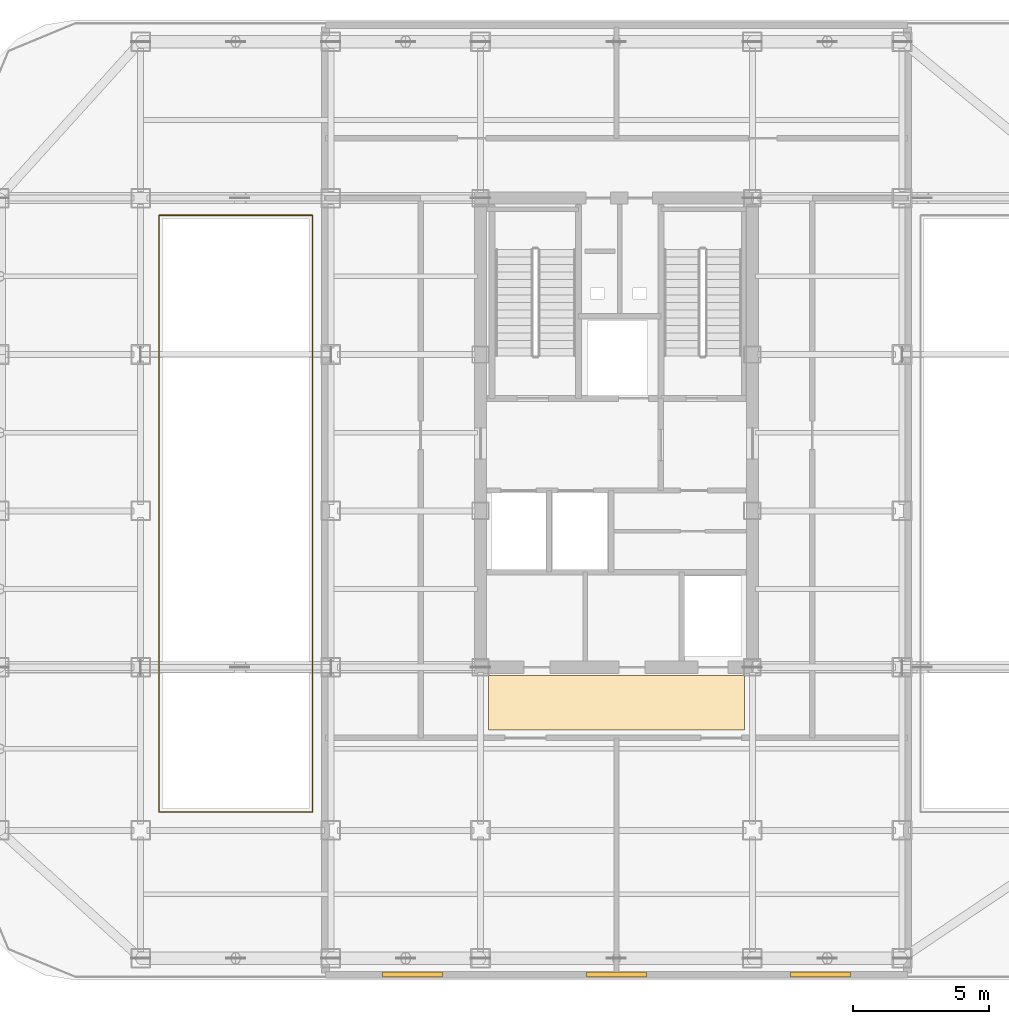
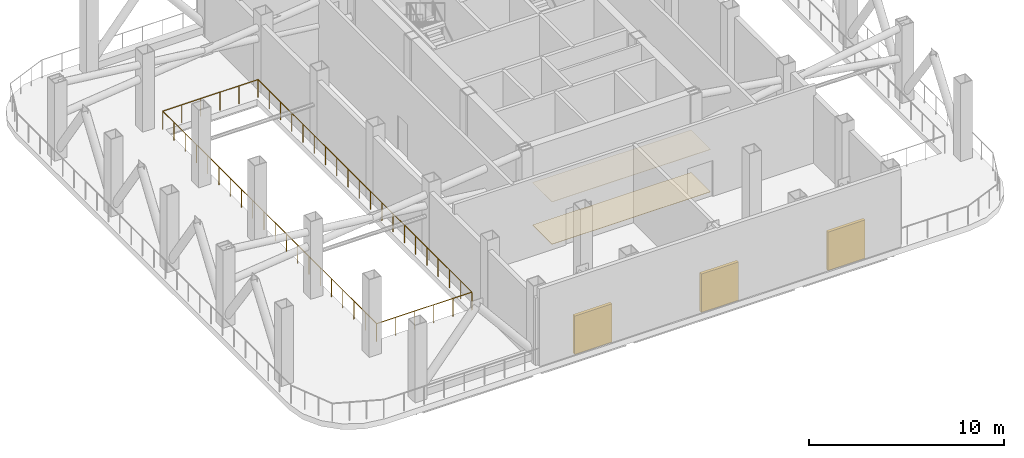
# One storey, part 8 of 10: 3 shading devices, 2 coverings, 1 railing.
"""IFC4 building model written with IfcOpenShell, lengths in metres."""

from ifc_helpers import new_model, si_unit, direction, frame, origin, origin_2d, place, context, subcontext, project, spatial, polyline, rectangle, circle, outline, extrude, source, transform, mapped, material, layer, layer_set, type_object, element, save


model = new_model("IFC4")

# Units and contexts
model_context = context("Model", 3, precision=1e-05, world=origin(), true_north=direction((0.0, 1.0)))
body_context = subcontext(model_context, "Body", "Model", "MODEL_VIEW")
ifc_project = project(units=[si_unit("LENGTHUNIT", "METRE"), si_unit("AREAUNIT", "SQUARE_METRE"), si_unit("VOLUMEUNIT", "CUBIC_METRE"), si_unit("PLANEANGLEUNIT", "RADIAN"), si_unit("MASSUNIT", "GRAM", prefix="KILO")], contexts=[model_context])

# Site, building, storey
site_placement = place(None, origin())
site = spatial("IfcSite", under=ifc_project, at=site_placement, CompositionType="ELEMENT")
building_placement = place(site_placement, origin())
building = spatial("IfcBuilding", under=site, at=building_placement, Name="Kolveth Station Tower", CompositionType="ELEMENT")
storey_placement = place(building_placement, frame((0.0, 0.0, 188.10009765625)))
storey = spatial("IfcBuildingStorey", under=building, at=storey_placement, Name="L53", CompositionType="ELEMENT", Elevation=188.10009765625)

# Coverings
ifc_material_1 = material(Name="Acoustic mineral-fibre ceiling tile")
ifc_layer_1 = layer(ifc_material_1, 0.02490234375)
ifc_layer_set_1 = layer_set([ifc_layer_1], Name="Acoustic mineral-fibre ceiling tile")
covering_type_1 = type_object("IfcCoveringType", Name="Ceil_CL1", PredefinedType="CEILING", material=ifc_layer_set_1)
covering_1_placement = place(storey_placement, frame((0.0, 0.0, 2.64990234375)))
element("IfcCovering", 1, at=covering_1_placement, inside=storey, type_object=covering_type_1, Name="L53 Lift Lobby Suspended Ceiling", PredefinedType="CEILING", context=body_context, shape_type="SweptSolid", body=[
    extrude(outline(polyline([(18.800048828125, 9.199951171875), (28.199951171875, 9.199951171875), (28.199951171875, 11.199951171875), (18.800048828125, 11.199951171875), (18.800048828125, 9.199951171875)])), origin(), (0.0, 0.0, 1.0), 0.02490234375),
])
ifc_material_2 = material(Name="Honed terrazzo flooring")
ifc_layer_2 = layer(ifc_material_2, 0.02001953125)
ifc_layer_set_2 = layer_set([ifc_layer_2], Name="Honed terrazzo flooring")
covering_type_2 = type_object("IfcCoveringType", Name="Floor_FL1", PredefinedType="FLOORING", material=ifc_layer_set_2)
covering_2_placement = place(storey_placement, origin())
element("IfcCovering", 2, at=covering_2_placement, inside=storey, type_object=covering_type_2, Name="L53 Lift Lobby Floor Finish", PredefinedType="FLOORING", context=body_context, shape_type="SweptSolid", body=[
    extrude(outline(polyline([(18.800048828125, 9.199951171875), (28.199951171875, 9.199951171875), (28.199951171875, 11.199951171875), (18.800048828125, 11.199951171875), (18.800048828125, 9.199951171875)])), origin(), (0.0, 0.0, 1.0), 0.02001953125),
])

# Railing
ifc_material_3 = material(Name="Painted Steel S355 balustrade", Category="steel")
railing_type = type_object("IfcRailingType", Name="Guard_GR2", PredefinedType="BALUSTRADE", material=ifc_material_3)
railing_placement = place(storey_placement, frame((6.679931640625, 6.179931640625, 0.0)))
element("IfcRailing", 3, at=railing_placement, inside=storey, type_object=railing_type, Name="L53 Wind-Slot Venturi Opening Guard 1", PredefinedType="BALUSTRADE", context=body_context, shape_type="SweptSolid", body=[
    extrude(circle(Radius=0.02392578125, at=origin_2d()), frame((0.0, 0.0, 1.1259765625), z_axis=(1.0, 0.0, 0.0), x_axis=(0.0, 1.0, 0.0)), (0.0, 0.0, 1.0), 5.64013671875),
    extrude(circle(Radius=0.02392578125, at=origin_2d()), frame((5.64013671875, 0.0, 1.1259765625), z_axis=(0.0, 1.0, 0.0), x_axis=(-1.0, 0.0, 0.0)), (0.0, 0.0, 1.0), 21.940185546875),
    extrude(circle(Radius=0.02392578125, at=origin_2d()), frame((5.64013671875, 21.940185546875, 1.1259765625), z_axis=(-1.0, 0.0, 0.0), x_axis=(0.0, -1.0, 0.0)), (0.0, 0.0, 1.0), 5.64013671875),
    extrude(circle(Radius=0.02392578125, at=origin_2d()), frame((0.0, 21.940185546875, 1.1259765625), z_axis=(0.0, -1.0, 0.0), x_axis=(1.0, 0.0, 0.0)), (0.0, 0.0, 1.0), 21.915283203125),
    extrude(circle(Radius=0.02099609375, at=origin_2d()), origin(), (0.0, 0.0, 1.0), 1.101806640625),
    extrude(circle(Radius=0.02099609375, at=origin_2d()), frame((1.1279296875, 0.0, 0.0)), (0.0, 0.0, 1.0), 1.101806640625),
    extrude(circle(Radius=0.02099609375, at=origin_2d()), frame((2.256103515625, 0.0, 0.0)), (0.0, 0.0, 1.0), 1.101806640625),
    extrude(circle(Radius=0.02099609375, at=origin_2d()), frame((3.384033203125, 0.0, 0.0)), (0.0, 0.0, 1.0), 1.101806640625),
    extrude(circle(Radius=0.02099609375, at=origin_2d()), frame((4.51220703125, 0.0, 0.0)), (0.0, 0.0, 1.0), 1.101806640625),
    extrude(circle(Radius=0.02099609375, at=origin_2d()), frame((5.64013671875, 0.0, 0.0)), (0.0, 0.0, 1.0), 1.101806640625),
    extrude(circle(Radius=0.02099609375, at=origin_2d()), frame((5.64013671875, 1.15478515625, 0.0)), (0.0, 0.0, 1.0), 1.101806640625),
    extrude(circle(Radius=0.02099609375, at=origin_2d()), frame((5.64013671875, 2.3095703125, 0.0)), (0.0, 0.0, 1.0), 1.101806640625),
    extrude(circle(Radius=0.02099609375, at=origin_2d()), frame((5.64013671875, 3.46435546875, 0.0)), (0.0, 0.0, 1.0), 1.101806640625),
    extrude(circle(Radius=0.02099609375, at=origin_2d()), frame((5.64013671875, 4.618896484375, 0.0)), (0.0, 0.0, 1.0), 1.101806640625),
    extrude(circle(Radius=0.02099609375, at=origin_2d()), frame((5.64013671875, 5.773681640625, 0.0)), (0.0, 0.0, 1.0), 1.101806640625),
    extrude(circle(Radius=0.02099609375, at=origin_2d()), frame((5.64013671875, 6.928466796875, 0.0)), (0.0, 0.0, 1.0), 1.101806640625),
    extrude(circle(Radius=0.02099609375, at=origin_2d()), frame((5.64013671875, 8.083251953125, 0.0)), (0.0, 0.0, 1.0), 1.101806640625),
    extrude(circle(Radius=0.02099609375, at=origin_2d()), frame((5.64013671875, 9.238037109375, 0.0)), (0.0, 0.0, 1.0), 1.101806640625),
    extrude(circle(Radius=0.02099609375, at=origin_2d()), frame((5.64013671875, 10.392822265625, 0.0)), (0.0, 0.0, 1.0), 1.101806640625),
    extrude(circle(Radius=0.02099609375, at=origin_2d()), frame((5.64013671875, 11.54736328125, 0.0)), (0.0, 0.0, 1.0), 1.101806640625),
    extrude(circle(Radius=0.02099609375, at=origin_2d()), frame((5.64013671875, 12.7021484375, 0.0)), (0.0, 0.0, 1.0), 1.101806640625),
    extrude(circle(Radius=0.02099609375, at=origin_2d()), frame((5.64013671875, 13.85693359375, 0.0)), (0.0, 0.0, 1.0), 1.101806640625),
    extrude(circle(Radius=0.02099609375, at=origin_2d()), frame((5.64013671875, 15.01171875, 0.0)), (0.0, 0.0, 1.0), 1.101806640625),
    extrude(circle(Radius=0.02099609375, at=origin_2d()), frame((5.64013671875, 16.16650390625, 0.0)), (0.0, 0.0, 1.0), 1.101806640625),
    extrude(circle(Radius=0.02099609375, at=origin_2d()), frame((5.64013671875, 17.3212890625, 0.0)), (0.0, 0.0, 1.0), 1.101806640625),
    extrude(circle(Radius=0.02099609375, at=origin_2d()), frame((5.64013671875, 18.475830078125, 0.0)), (0.0, 0.0, 1.0), 1.101806640625),
    extrude(circle(Radius=0.02099609375, at=origin_2d()), frame((5.64013671875, 19.630615234375, 0.0)), (0.0, 0.0, 1.0), 1.101806640625),
    extrude(circle(Radius=0.02099609375, at=origin_2d()), frame((5.64013671875, 20.785400390625, 0.0)), (0.0, 0.0, 1.0), 1.101806640625),
    extrude(circle(Radius=0.02099609375, at=origin_2d()), frame((5.64013671875, 21.940185546875, 0.0)), (0.0, 0.0, 1.0), 1.101806640625),
    extrude(circle(Radius=0.02099609375, at=origin_2d()), frame((4.51220703125, 21.940185546875, 0.0)), (0.0, 0.0, 1.0), 1.101806640625),
    extrude(circle(Radius=0.02099609375, at=origin_2d()), frame((3.384033203125, 21.940185546875, 0.0)), (0.0, 0.0, 1.0), 1.101806640625),
    extrude(circle(Radius=0.02099609375, at=origin_2d()), frame((2.256103515625, 21.940185546875, 0.0)), (0.0, 0.0, 1.0), 1.101806640625),
    extrude(circle(Radius=0.02099609375, at=origin_2d()), frame((1.1279296875, 21.940185546875, 0.0)), (0.0, 0.0, 1.0), 1.101806640625),
    extrude(circle(Radius=0.02099609375, at=origin_2d()), frame((0.0, 21.940185546875, 0.0)), (0.0, 0.0, 1.0), 1.101806640625),
    extrude(circle(Radius=0.02099609375, at=origin_2d()), frame((0.0, 20.786865234375, 0.0)), (0.0, 0.0, 1.0), 1.101806640625),
    extrude(circle(Radius=0.02099609375, at=origin_2d()), frame((0.0, 19.63330078125, 0.0)), (0.0, 0.0, 1.0), 1.101806640625),
    extrude(circle(Radius=0.02099609375, at=origin_2d()), frame((0.0, 18.47998046875, 0.0)), (0.0, 0.0, 1.0), 1.101806640625),
    extrude(circle(Radius=0.02099609375, at=origin_2d()), frame((0.0, 17.326416015625, 0.0)), (0.0, 0.0, 1.0), 1.101806640625),
    extrude(circle(Radius=0.02099609375, at=origin_2d()), frame((0.0, 16.173095703125, 0.0)), (0.0, 0.0, 1.0), 1.101806640625),
    extrude(circle(Radius=0.02099609375, at=origin_2d()), frame((0.0, 15.01953125, 0.0)), (0.0, 0.0, 1.0), 1.101806640625),
    extrude(circle(Radius=0.02099609375, at=origin_2d()), frame((0.0, 13.8662109375, 0.0)), (0.0, 0.0, 1.0), 1.101806640625),
    extrude(circle(Radius=0.02099609375, at=origin_2d()), frame((0.0, 12.712646484375, 0.0)), (0.0, 0.0, 1.0), 1.101806640625),
    extrude(circle(Radius=0.02099609375, at=origin_2d()), frame((0.0, 11.559326171875, 0.0)), (0.0, 0.0, 1.0), 1.101806640625),
    extrude(circle(Radius=0.02099609375, at=origin_2d()), frame((0.0, 10.40576171875, 0.0)), (0.0, 0.0, 1.0), 1.101806640625),
    extrude(circle(Radius=0.02099609375, at=origin_2d()), frame((0.0, 9.25244140625, 0.0)), (0.0, 0.0, 1.0), 1.101806640625),
    extrude(circle(Radius=0.02099609375, at=origin_2d()), frame((0.0, 8.098876953125, 0.0)), (0.0, 0.0, 1.0), 1.101806640625),
    extrude(circle(Radius=0.02099609375, at=origin_2d()), frame((0.0, 6.945556640625, 0.0)), (0.0, 0.0, 1.0), 1.101806640625),
    extrude(circle(Radius=0.02099609375, at=origin_2d()), frame((0.0, 5.7919921875, 0.0)), (0.0, 0.0, 1.0), 1.101806640625),
    extrude(circle(Radius=0.02099609375, at=origin_2d()), frame((0.0, 4.638671875, 0.0)), (0.0, 0.0, 1.0), 1.101806640625),
    extrude(circle(Radius=0.02099609375, at=origin_2d()), frame((0.0, 3.485107421875, 0.0)), (0.0, 0.0, 1.0), 1.101806640625),
    extrude(circle(Radius=0.02099609375, at=origin_2d()), frame((0.0, 2.331787109375, 0.0)), (0.0, 0.0, 1.0), 1.101806640625),
    extrude(circle(Radius=0.02099609375, at=origin_2d()), frame((0.0, 1.17822265625, 0.0)), (0.0, 0.0, 1.0), 1.101806640625),
    extrude(circle(Radius=0.02099609375, at=origin_2d()), frame((0.0, 0.02490234375, 0.0)), (0.0, 0.0, 1.0), 1.101806640625),
])

# Shading devices
ifc_material_4 = material(Name="Black anodized aluminium 6063-T6", Category="aluminium")
shading_device_type = type_object("IfcShadingDeviceType", Name="Louvre_LV1", PredefinedType="JALOUSIE", material=ifc_material_4)
shared_shape = source(origin(), body_context, "Body", "SweptSolid", [
    extrude(rectangle(XDim=2.199951171875, YDim=0.179931640625, at=origin_2d()), origin(), (0.0, 0.0, 1.0), 2.39990234375),
])
for number, where, z_axis, x_axis, name in (
    (4, (16.0, 0.199951171875, 0.0), (0.0, 0.0, 1.0), (1.0, 0.0, 0.0), "L53 Wind-Slot Intake Louvre 1"),
    (5, (23.5, 0.199951171875, 0.0), (0.0, 0.0, 1.0), (1.0, 0.0, 0.0), "L53 Wind-Slot Intake Louvre 2"),
    (6, (31.0, 0.199951171875, 0.0), (0.0, 0.0, 1.0), (1.0, 0.0, 0.0), "L53 Wind-Slot Intake Louvre 3"),
):
    element("IfcShadingDevice", number, at=place(storey_placement, frame(where, z_axis=z_axis, x_axis=x_axis)), inside=storey, type_object=shading_device_type, Name=name, PredefinedType="JALOUSIE", context=body_context, shape_type="MappedRepresentation", body=[
        mapped(shared_shape, transform((0.0, 0.0, 0.0), x_axis=(1.0, 0.0, 0.0), y_axis=(0.0, 1.0, 0.0), z_axis=(0.0, 0.0, 1.0), scale=1.0)),
    ])

save(model, "model.ifc")
